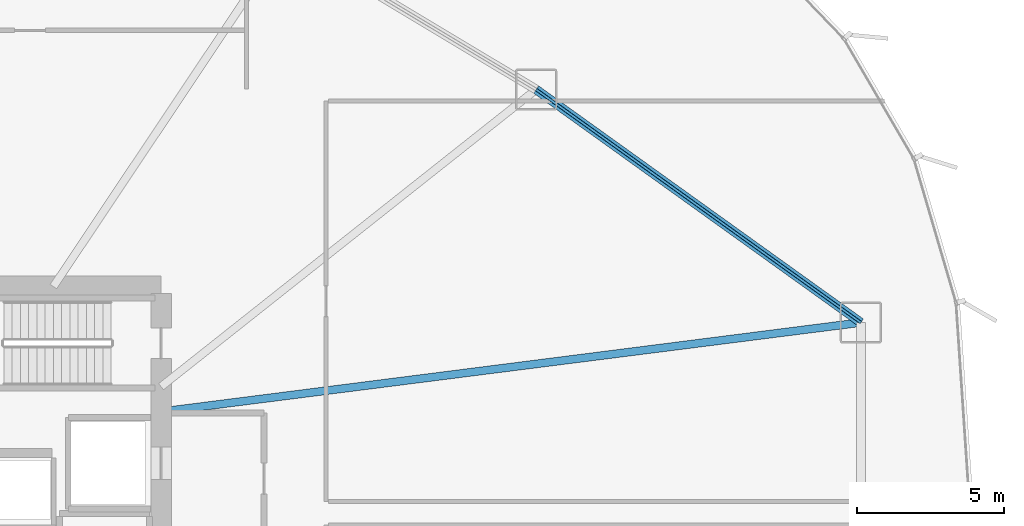
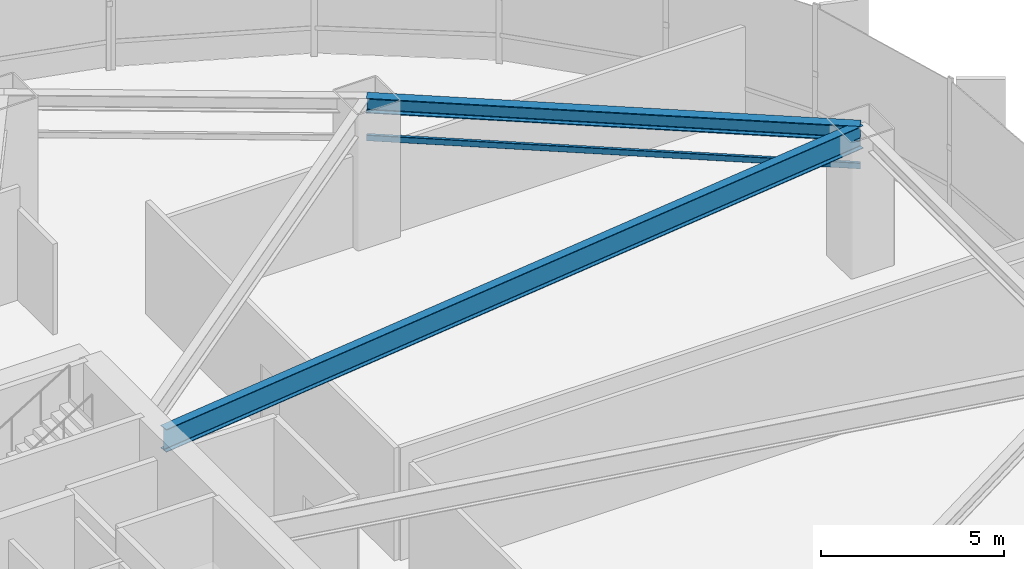
# One storey, part 20 of 34: 3 beams.
"""IFC4 building model written with IfcOpenShell, lengths in metres."""

from ifc_helpers import new_model, si_unit, direction, frame, origin, origin_2d, place, context, subcontext, project, spatial, hollow_rectangle, i_section, extrude, source, transform, mapped, material, material_profile, profile_set, type_object, element, save


model = new_model("IFC4")

# Units and contexts
model_context = context("Model", 3, precision=1e-05, world=origin(), true_north=direction((0.0, 1.0)))
body_context = subcontext(model_context, "Body", "Model", "MODEL_VIEW")
ifc_project = project(units=[si_unit("LENGTHUNIT", "METRE"), si_unit("AREAUNIT", "SQUARE_METRE"), si_unit("VOLUMEUNIT", "CUBIC_METRE"), si_unit("PLANEANGLEUNIT", "RADIAN"), si_unit("MASSUNIT", "GRAM", prefix="KILO"), si_unit("THERMODYNAMICTEMPERATUREUNIT", "KELVIN")], contexts=[model_context])

# Site, building, storey
site_placement = place(None, origin())
site = spatial("IfcSite", under=ifc_project, at=site_placement, CompositionType="ELEMENT")
building_placement = place(site_placement, origin())
building = spatial("IfcBuilding", under=site, at=building_placement, Name="Kethvar Cultural Tower", CompositionType="ELEMENT")
storey_placement = place(building_placement, frame((0.0, 0.0, 5.199951171875)))
storey = spatial("IfcBuildingStorey", under=building, at=storey_placement, Name="L01", CompositionType="ELEMENT", Elevation=5.199951171875)

# Beams
ifc_material = material(Name="Steel S355J2", Category="steel")
ifc_material_profile_1 = material_profile(ifc_material, i_section(OverallWidth=0.300048828125, OverallDepth=0.5, WebThickness=0.014404296875, FlangeThickness=0.028076171875, FilletRadius=0.027099609375, at=origin_2d()), Name="Steel S355J2 — HEB500")
ifc_profile_set_1 = profile_set([ifc_material_profile_1], Name="Steel S355J2 — HEB500")
beam_type_1 = type_object("IfcBeamType", Name="BM-SP500", PredefinedType="SPANDREL", material=ifc_profile_set_1)
shared_shape_1 = source(origin(), body_context, "Body", "SweptSolid", [
    extrude(i_section(OverallWidth=0.300048828125, OverallDepth=0.5, WebThickness=0.014404296875, FlangeThickness=0.028076171875, FilletRadius=0.027099609375, at=origin_2d()), origin(), (0.0, 0.0, 1.0), 13.5712890625),
])
beam_1_placement = place(storey_placement, frame((79.362060546875, 34.277099609375, 4.298095703125), z_axis=(-0.812419874207, 0.583072849645, 0.0), x_axis=(-0.583072849645, -0.812419874207, 0.0)))
element("IfcBeam", 1, at=beam_1_placement, inside=storey, type_object=beam_type_1, Name="L01 Podium Ring Beam 01", PredefinedType="SPANDREL", context=body_context, shape_type="MappedRepresentation", body=[
    mapped(shared_shape_1, transform((0.0, 0.0, 0.0), scale=1.0)),
])
ifc_material_profile_2 = material_profile(ifc_material, i_section(OverallWidth=0.26708984375, OverallDepth=0.761962890625, WebThickness=0.014404296875, FlangeThickness=0.021484375, FilletRadius=0.01708984375, at=origin_2d()), Name="Steel S355J2 — IPE750x173")
ifc_profile_set_2 = profile_set([ifc_material_profile_2], Name="Steel S355J2 — IPE750x173")
beam_type_2 = type_object("IfcBeamType", Name="BM-IPE750", PredefinedType="BEAM", material=ifc_profile_set_2)
shared_shape_2 = source(origin(), body_context, "Body", "SweptSolid", [
    extrude(i_section(OverallWidth=0.26708984375, OverallDepth=0.761962890625, WebThickness=0.014404296875, FlangeThickness=0.021484375, FilletRadius=0.01708984375, at=origin_2d()), origin(), (0.0, 0.0, 1.0), 23.9541015625),
])
beam_2_placement = place(storey_placement, frame((55.60009765625, 31.25, 4.1669921875), z_axis=(0.991983004647, 0.126371351546, 0.0), x_axis=(-0.126371351546, 0.991983004647, 0.0)))
element("IfcBeam", 2, at=beam_2_placement, inside=storey, type_object=beam_type_2, Name="L01 Podium Radial Girder 01", PredefinedType="BEAM", context=body_context, shape_type="MappedRepresentation", body=[
    mapped(shared_shape_2, transform((0.0, 0.0, 0.0), scale=1.0)),
])
ifc_material_profile_3 = material_profile(ifc_material, hollow_rectangle(XDim=0.10009765625, YDim=0.199951171875, WallThickness=0.008056640625, InnerFilletRadius=0.008056640625, OuterFilletRadius=0.01611328125, at=origin_2d()), Name="Steel S355J2 — RHS200x100x8")
ifc_profile_set_3 = profile_set([ifc_material_profile_3], Name="Steel S355J2 — RHS200x100x8")
beam_type_3 = type_object("IfcBeamType", Name="BM-LN200", PredefinedType="LINTEL", material=ifc_profile_set_3)
shared_shape_3 = source(origin(), body_context, "Body", "SweptSolid", [
    extrude(hollow_rectangle(XDim=0.10009765625, YDim=0.199951171875, WallThickness=0.008056640625, InnerFilletRadius=0.008056640625, OuterFilletRadius=0.01611328125, at=origin_2d()), origin(), (0.0, 0.0, 1.0), 13.5712890625),
])
beam_3_placement = place(storey_placement, frame((79.362060546875, 34.277099609375, 3.150146484375), z_axis=(-0.812419874207, 0.583072849645, 0.0), x_axis=(-0.583072849645, -0.812419874207, 0.0)))
element("IfcBeam", 3, at=beam_3_placement, inside=storey, type_object=beam_type_3, Name="L01 Header Lintel LN-07", PredefinedType="LINTEL", context=body_context, shape_type="MappedRepresentation", body=[
    mapped(shared_shape_3, transform((0.0, 0.0, 0.0), scale=1.0)),
])

save(model, "model.ifc")
